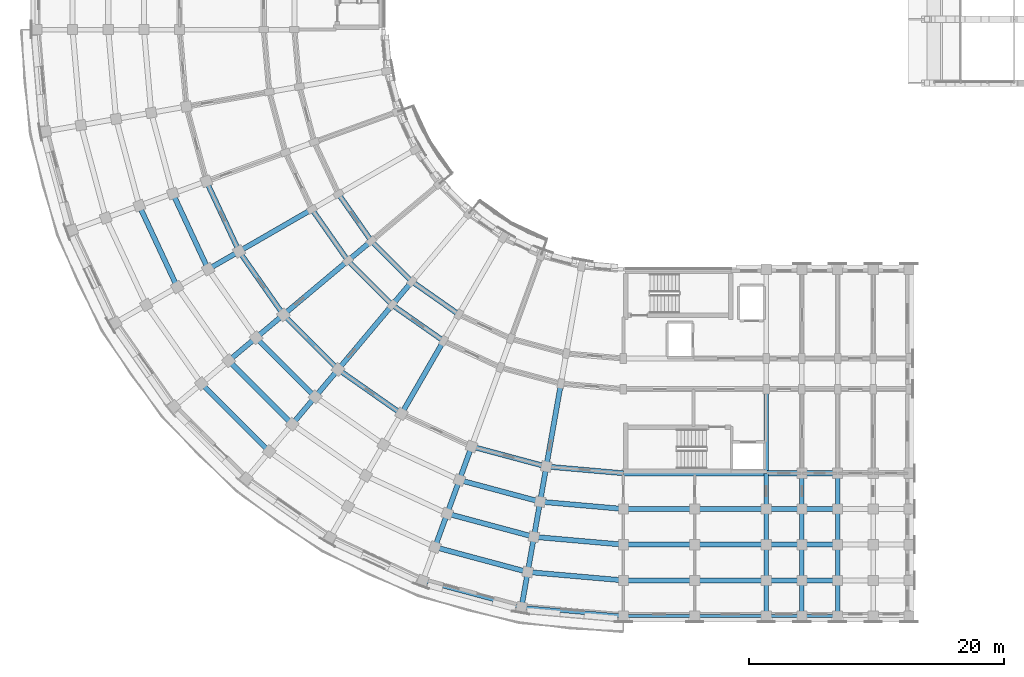
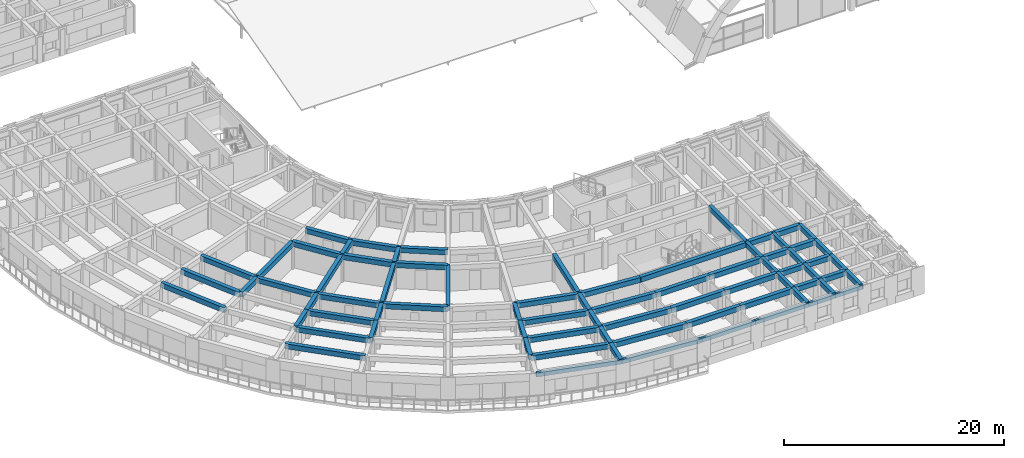
# One storey, part 10 of 76: 76 beams.
"""IFC4 building model written with IfcOpenShell, lengths in metres."""

from ifc_helpers import new_model, si_unit, direction, frame, origin, origin_2d, place, context, subcontext, project, spatial, rectangle, extrude, material, material_profile, profile_set, type_object, element, save


model = new_model("IFC4")

# Units and contexts
model_context = context("Model", 3, precision=1e-05, world=origin(), true_north=direction((0.0, 1.0)))
body_context = subcontext(model_context, "Body", "Model", "MODEL_VIEW")
ifc_project = project(units=[si_unit("LENGTHUNIT", "METRE"), si_unit("AREAUNIT", "SQUARE_METRE"), si_unit("VOLUMEUNIT", "CUBIC_METRE"), si_unit("PLANEANGLEUNIT", "RADIAN"), si_unit("MASSUNIT", "GRAM", prefix="KILO")], contexts=[model_context])

# Site, building, storey
site_placement = place(None, origin())
site = spatial("IfcSite", under=ifc_project, at=site_placement, CompositionType="ELEMENT")
building_placement = place(site_placement, origin())
building = spatial("IfcBuilding", under=site, at=building_placement, Name="Kiranvali Square Residences", CompositionType="ELEMENT")
storey_placement = place(building_placement, frame((0.0, 0.0, 8.699951171875)))
storey = spatial("IfcBuildingStorey", under=building, at=storey_placement, Name="L02", CompositionType="ELEMENT", Elevation=8.699951171875)

# Beams
ifc_material_1 = material(Name="Concrete M40 (40 MPa)", Category="concrete")
ifc_material_profile_1 = material_profile(ifc_material_1, rectangle(XDim=0.35009765625, YDim=0.550048828125, at=origin_2d()), Name="RC 350x550")
ifc_profile_set_1 = profile_set([ifc_material_profile_1], Name="Concrete M40 (40 MPa)")
beam_type_1 = type_object("IfcBeamType", Name="BM-M40-350x550", PredefinedType="BEAM", material=ifc_profile_set_1)
beam_1_placement = place(storey_placement, frame((59.39990234375, 20.0, 2.655029296875), z_axis=(0.0, -1.0, 0.0), x_axis=(1.0, 0.0, 0.0)))
element("IfcBeam", 1, at=beam_1_placement, inside=storey, type_object=beam_type_1, Name="L02 beam BM-C-L02-A1T1-23", PredefinedType="BEAM", context=body_context, shape_type="SweptSolid", body=[
    extrude(rectangle(XDim=0.35009765625, YDim=0.550048828125, at=origin_2d()), origin(), (0.0, 0.0, 1.0), 6.60009765625),
])
beam_2_placement = place(storey_placement, frame((59.39990234375, 13.39990234375, 2.655029296875), z_axis=(0.0, -1.0, 0.0), x_axis=(1.0, 0.0, 0.0)))
element("IfcBeam", 2, at=beam_2_placement, inside=storey, type_object=beam_type_1, Name="L02 beam BM-C-L02-A1T1-34", PredefinedType="BEAM", context=body_context, shape_type="SweptSolid", body=[
    extrude(rectangle(XDim=0.35009765625, YDim=0.550048828125, at=origin_2d()), origin(), (0.0, 0.0, 1.0), 2.7998046875),
])
for number, where, z_axis, x_axis, name in (
    (3, (59.39990234375, 10.60009765625, 2.655029296875), (0.0, -1.0, 0.0), (1.0, 0.0, 0.0), "L02 beam BM-C-L02-A1T1-45"),
    (4, (59.39990234375, 7.800048828125, 2.655029296875), (0.0, -1.0, 0.0), (1.0, 0.0, 0.0), "L02 beam BM-C-L02-A1T1-56"),
    (5, (59.39990234375, 5.0, 2.655029296875), (0.0, -1.0, 0.0), (1.0, 0.0, 0.0), "L02 beam BM-C-L02-A1T1-67"),
):
    element("IfcBeam", number, at=place(storey_placement, frame(where, z_axis=z_axis, x_axis=x_axis)), inside=storey, type_object=beam_type_1, Name=name, PredefinedType="BEAM", context=body_context, shape_type="SweptSolid", body=[
        extrude(rectangle(XDim=0.35009765625, YDim=0.550048828125, at=origin_2d()), origin(), (0.0, 0.0, 1.0), 2.800048828125),
    ])
beam_3_placement = place(storey_placement, frame((62.199951171875, 13.39990234375, 2.655029296875), z_axis=(0.0, -1.0, 0.0), x_axis=(1.0, 0.0, 0.0)))
element("IfcBeam", 6, at=beam_3_placement, inside=storey, type_object=beam_type_1, Name="L02 beam BM-C-L02-A1T2-34", PredefinedType="BEAM", context=body_context, shape_type="SweptSolid", body=[
    extrude(rectangle(XDim=0.35009765625, YDim=0.550048828125, at=origin_2d()), origin(), (0.0, 0.0, 1.0), 2.7998046875),
])
for number, where, z_axis, x_axis, name in (
    (7, (62.199951171875, 10.60009765625, 2.655029296875), (0.0, -1.0, 0.0), (1.0, 0.0, 0.0), "L02 beam BM-C-L02-A1T2-45"),
    (8, (62.199951171875, 7.800048828125, 2.655029296875), (0.0, -1.0, 0.0), (1.0, 0.0, 0.0), "L02 beam BM-C-L02-A1T2-56"),
    (9, (62.199951171875, 5.0, 2.655029296875), (0.0, -1.0, 0.0), (1.0, 0.0, 0.0), "L02 beam BM-C-L02-A1T2-67"),
):
    element("IfcBeam", number, at=place(storey_placement, frame(where, z_axis=z_axis, x_axis=x_axis)), inside=storey, type_object=beam_type_1, Name=name, PredefinedType="BEAM", context=body_context, shape_type="SweptSolid", body=[
        extrude(rectangle(XDim=0.35009765625, YDim=0.550048828125, at=origin_2d()), origin(), (0.0, 0.0, 1.0), 2.800048828125),
    ])
beam_4_placement = place(storey_placement, frame((65.0, 13.39990234375, 2.655029296875), z_axis=(0.0, -1.0, 0.0), x_axis=(1.0, 0.0, 0.0)))
element("IfcBeam", 10, at=beam_4_placement, inside=storey, type_object=beam_type_1, Name="L02 beam BM-C-L02-A1T3-34", PredefinedType="BEAM", context=body_context, shape_type="SweptSolid", body=[
    extrude(rectangle(XDim=0.35009765625, YDim=0.550048828125, at=origin_2d()), origin(), (0.0, 0.0, 1.0), 2.7998046875),
])
for number, where, z_axis, x_axis, name in (
    (11, (65.0, 10.60009765625, 2.655029296875), (0.0, -1.0, 0.0), (1.0, 0.0, 0.0), "L02 beam BM-C-L02-A1T3-45"),
    (12, (65.0, 7.800048828125, 2.655029296875), (0.0, -1.0, 0.0), (1.0, 0.0, 0.0), "L02 beam BM-C-L02-A1T3-56"),
    (13, (65.0, 5.0, 2.655029296875), (0.0, -1.0, 0.0), (1.0, 0.0, 0.0), "L02 beam BM-C-L02-A1T3-67"),
):
    element("IfcBeam", number, at=place(storey_placement, frame(where, z_axis=z_axis, x_axis=x_axis)), inside=storey, type_object=beam_type_1, Name=name, PredefinedType="BEAM", context=body_context, shape_type="SweptSolid", body=[
        extrude(rectangle(XDim=0.35009765625, YDim=0.550048828125, at=origin_2d()), origin(), (0.0, 0.0, 1.0), 2.800048828125),
    ])
ifc_material_2 = material(Name="Concrete M45 (45 MPa)", Category="concrete")
ifc_material_profile_2 = material_profile(ifc_material_2, rectangle(XDim=0.39990234375, YDim=0.550048828125, at=origin_2d()), Name="RC 400x550")
ifc_profile_set_2 = profile_set([ifc_material_profile_2], Name="Concrete M45 (45 MPa)")
beam_type_2 = type_object("IfcBeamType", Name="BM-M45-400x550", PredefinedType="BEAM", material=ifc_profile_set_2)
beam_5_placement = place(storey_placement, frame((48.199951171875, 13.39990234375, 2.655029296875), z_axis=(-0.996193018494, 0.087174938512, 0.0), x_axis=(-0.087174938512, -0.996193018494, 0.0)))
element("IfcBeam", 14, at=beam_5_placement, inside=storey, type_object=beam_type_2, Name="L02 beam BM-C-L02-C00-R3", PredefinedType="BEAM", context=body_context, shape_type="SweptSolid", body=[
    extrude(rectangle(XDim=0.39990234375, YDim=0.550048828125, at=origin_2d()), origin(), (0.0, 0.0, 1.0), 6.066162109375),
])
beam_6_placement = place(storey_placement, frame((48.199951171875, 10.60009765625, 2.655029296875), z_axis=(-0.996196991902, 0.0871295204, 0.0), x_axis=(-0.0871295204, -0.996196991902, 0.0)))
element("IfcBeam", 15, at=beam_6_placement, inside=storey, type_object=beam_type_2, Name="L02 beam BM-C-L02-C00-R4", PredefinedType="BEAM", context=body_context, shape_type="SweptSolid", body=[
    extrude(rectangle(XDim=0.39990234375, YDim=0.550048828125, at=origin_2d()), origin(), (0.0, 0.0, 1.0), 6.553955078125),
])
beam_7_placement = place(storey_placement, frame((48.199951171875, 7.800048828125, 2.655029296875), z_axis=(-0.996194658198, 0.087156198737, 0.0), x_axis=(-0.087156198737, -0.996194658198, 0.0)))
element("IfcBeam", 16, at=beam_7_placement, inside=storey, type_object=beam_type_2, Name="L02 beam BM-C-L02-C00-R5", PredefinedType="BEAM", context=body_context, shape_type="SweptSolid", body=[
    extrude(rectangle(XDim=0.39990234375, YDim=0.550048828125, at=origin_2d()), origin(), (0.0, 0.0, 1.0), 7.042236328125),
])
beam_8_placement = place(storey_placement, frame((48.199951171875, 5.0, 2.655029296875), z_axis=(-0.996195195417, 0.087150058103, 0.0), x_axis=(-0.087150058103, -0.996195195417, 0.0)))
element("IfcBeam", 17, at=beam_8_placement, inside=storey, type_object=beam_type_2, Name="L02 beam BM-C-L02-C00-R6", PredefinedType="BEAM", context=body_context, shape_type="SweptSolid", body=[
    extrude(rectangle(XDim=0.39990234375, YDim=0.550048828125, at=origin_2d()), origin(), (0.0, 0.0, 1.0), 7.530029296875),
])
beam_9_placement = place(storey_placement, frame((42.156982421875, 13.9287109375, 2.655029296875), z_axis=(-0.965923618901, 0.258827283048, 0.0), x_axis=(-0.258827283048, -0.965923618901, 0.0)))
element("IfcBeam", 18, at=beam_9_placement, inside=storey, type_object=beam_type_2, Name="L02 beam BM-C-L02-C01-R3", PredefinedType="BEAM", context=body_context, shape_type="SweptSolid", body=[
    extrude(rectangle(XDim=0.39990234375, YDim=0.550048828125, at=origin_2d()), origin(), (0.0, 0.0, 1.0), 6.066162109375),
])
beam_10_placement = place(storey_placement, frame((41.6708984375, 11.171142578125, 2.655029296875), z_axis=(-0.965918287583, 0.258847178297, 0.0), x_axis=(-0.258847178297, -0.965918287583, 0.0)))
element("IfcBeam", 19, at=beam_10_placement, inside=storey, type_object=beam_type_2, Name="L02 beam BM-C-L02-C01-R4", PredefinedType="BEAM", context=body_context, shape_type="SweptSolid", body=[
    extrude(rectangle(XDim=0.39990234375, YDim=0.550048828125, at=origin_2d()), origin(), (0.0, 0.0, 1.0), 6.55419921875),
])
beam_11_placement = place(storey_placement, frame((41.1845703125, 8.413818359375, 2.655029296875), z_axis=(-0.965931029817, 0.258799624492, 0.0), x_axis=(-0.258799624492, -0.965931029817, 0.0)))
element("IfcBeam", 20, at=beam_11_placement, inside=storey, type_object=beam_type_2, Name="L02 beam BM-C-L02-C01-R5", PredefinedType="BEAM", context=body_context, shape_type="SweptSolid", body=[
    extrude(rectangle(XDim=0.39990234375, YDim=0.550048828125, at=origin_2d()), origin(), (0.0, 0.0, 1.0), 7.042236328125),
])
beam_12_placement = place(storey_placement, frame((40.698486328125, 5.65625, 2.655029296875), z_axis=(-0.965925909693, 0.258818733833, 0.0), x_axis=(-0.258818733833, -0.965925909693, 0.0)))
element("IfcBeam", 21, at=beam_12_placement, inside=storey, type_object=beam_type_2, Name="L02 beam BM-C-L02-C01-R6", PredefinedType="BEAM", context=body_context, shape_type="SweptSolid", body=[
    extrude(rectangle(XDim=0.39990234375, YDim=0.550048828125, at=origin_2d()), origin(), (0.0, 0.0, 1.0), 7.5302734375),
])
beam_13_placement = place(storey_placement, frame((35.300048828125, 25.8564453125, 2.655029296875), z_axis=(-0.819155404658, 0.573571637217, 0.0), x_axis=(-0.573571637217, -0.819155404658, 0.0)))
element("IfcBeam", 22, at=beam_13_placement, inside=storey, type_object=beam_type_2, Name="L02 beam BM-C-L02-C03-R1", PredefinedType="BEAM", context=body_context, shape_type="SweptSolid", body=[
    extrude(rectangle(XDim=0.39990234375, YDim=0.550048828125, at=origin_2d()), origin(), (0.0, 0.0, 1.0), 4.497314453125),
])
beam_14_placement = place(storey_placement, frame((34.10009765625, 23.778076171875, 2.655029296875), z_axis=(-0.819140911474, 0.573592335331, 0.0), x_axis=(-0.573592335331, -0.819140911474, 0.0)))
element("IfcBeam", 23, at=beam_14_placement, inside=storey, type_object=beam_type_2, Name="L02 beam BM-C-L02-C03-R2", PredefinedType="BEAM", context=body_context, shape_type="SweptSolid", body=[
    extrude(rectangle(XDim=0.39990234375, YDim=0.550048828125, at=origin_2d()), origin(), (0.0, 0.0, 1.0), 4.915771484375),
])
beam_15_placement = place(storey_placement, frame((30.800048828125, 18.062255859375, 2.655029296875), z_axis=(-0.81913926159, 0.573594691504, 0.0), x_axis=(-0.573594691504, -0.81913926159, 0.0)))
element("IfcBeam", 24, at=beam_15_placement, inside=storey, type_object=beam_type_2, Name="L02 beam BM-C-L02-C03-R3", PredefinedType="BEAM", context=body_context, shape_type="SweptSolid", body=[
    extrude(rectangle(XDim=0.39990234375, YDim=0.550048828125, at=origin_2d()), origin(), (0.0, 0.0, 1.0), 6.066162109375),
])
beam_16_placement = place(storey_placement, frame((31.615966796875, 28.43603515625, 2.655029296875), z_axis=(-0.707106781187, 0.707106781187, 0.0), x_axis=(-0.707106781187, -0.707106781187, 0.0)))
element("IfcBeam", 25, at=beam_16_placement, inside=storey, type_object=beam_type_2, Name="L02 beam BM-C-L02-C04-R1", PredefinedType="BEAM", context=body_context, shape_type="SweptSolid", body=[
    extrude(rectangle(XDim=0.39990234375, YDim=0.550048828125, at=origin_2d()), origin(), (0.0, 0.0, 1.0), 4.4970703125),
])
beam_17_placement = place(storey_placement, frame((30.073486328125, 26.59765625, 2.655029296875), z_axis=(-0.707106781187, 0.707106781187, 0.0), x_axis=(-0.707106781187, -0.707106781187, 0.0)))
element("IfcBeam", 26, at=beam_17_placement, inside=storey, type_object=beam_type_2, Name="L02 beam BM-C-L02-C04-R2", PredefinedType="BEAM", context=body_context, shape_type="SweptSolid", body=[
    extrude(rectangle(XDim=0.39990234375, YDim=0.550048828125, at=origin_2d()), origin(), (0.0, 0.0, 1.0), 4.91552734375),
])
beam_18_placement = place(storey_placement, frame((25.8310546875, 21.541748046875, 2.655029296875), z_axis=(-0.707106781187, 0.707106781187, 0.0), x_axis=(-0.707106781187, -0.707106781187, 0.0)))
element("IfcBeam", 27, at=beam_18_placement, inside=storey, type_object=beam_type_2, Name="L02 beam BM-C-L02-C04-R3", PredefinedType="BEAM", context=body_context, shape_type="SweptSolid", body=[
    extrude(rectangle(XDim=0.39990234375, YDim=0.550048828125, at=origin_2d()), origin(), (0.0, 0.0, 1.0), 6.06591796875),
])
beam_19_placement = place(storey_placement, frame((24.03125, 19.396728515625, 2.655029296875), z_axis=(-0.707106781187, 0.707106781187, 0.0), x_axis=(-0.707106781187, -0.707106781187, 0.0)))
element("IfcBeam", 28, at=beam_19_placement, inside=storey, type_object=beam_type_2, Name="L02 beam BM-C-L02-C04-R4", PredefinedType="BEAM", context=body_context, shape_type="SweptSolid", body=[
    extrude(rectangle(XDim=0.39990234375, YDim=0.550048828125, at=origin_2d()), origin(), (0.0, 0.0, 1.0), 6.55419921875),
])
beam_20_placement = place(storey_placement, frame((22.2314453125, 17.251708984375, 2.655029296875), z_axis=(-0.707106781187, 0.707106781187, 0.0), x_axis=(-0.707106781187, -0.707106781187, 0.0)))
element("IfcBeam", 29, at=beam_20_placement, inside=storey, type_object=beam_type_2, Name="L02 beam BM-C-L02-C04-R5", PredefinedType="BEAM", context=body_context, shape_type="SweptSolid", body=[
    extrude(rectangle(XDim=0.39990234375, YDim=0.550048828125, at=origin_2d()), origin(), (0.0, 0.0, 1.0), 7.04248046875),
])
beam_21_placement = place(storey_placement, frame((20.431640625, 15.10693359375, 2.655029296875), z_axis=(-0.707106781187, 0.707106781187, 0.0), x_axis=(-0.707106781187, -0.707106781187, 0.0)))
element("IfcBeam", 30, at=beam_21_placement, inside=storey, type_object=beam_type_2, Name="L02 beam BM-C-L02-C04-R6", PredefinedType="BEAM", context=body_context, shape_type="SweptSolid", body=[
    extrude(rectangle(XDim=0.39990234375, YDim=0.550048828125, at=origin_2d()), origin(), (0.0, 0.0, 1.0), 7.5302734375),
])
beam_22_placement = place(storey_placement, frame((28.43603515625, 31.615966796875, 2.655029296875), z_axis=(-0.573571637217, 0.819155404658, 0.0), x_axis=(-0.819155404658, -0.573571637217, 0.0)))
element("IfcBeam", 31, at=beam_22_placement, inside=storey, type_object=beam_type_2, Name="L02 beam BM-C-L02-C05-R1", PredefinedType="BEAM", context=body_context, shape_type="SweptSolid", body=[
    extrude(rectangle(XDim=0.39990234375, YDim=0.550048828125, at=origin_2d()), origin(), (0.0, 0.0, 1.0), 4.497314453125),
])
beam_23_placement = place(storey_placement, frame((26.59765625, 30.073486328125, 2.655029296875), z_axis=(-0.573592335331, 0.819140911474, 0.0), x_axis=(-0.819140911474, -0.573592335331, 0.0)))
element("IfcBeam", 32, at=beam_23_placement, inside=storey, type_object=beam_type_2, Name="L02 beam BM-C-L02-C05-R2", PredefinedType="BEAM", context=body_context, shape_type="SweptSolid", body=[
    extrude(rectangle(XDim=0.39990234375, YDim=0.550048828125, at=origin_2d()), origin(), (0.0, 0.0, 1.0), 4.915771484375),
])
beam_24_placement = place(storey_placement, frame((21.541748046875, 25.8310546875, 2.655029296875), z_axis=(-0.573594691504, 0.81913926159, 0.0), x_axis=(-0.81913926159, -0.573594691504, 0.0)))
element("IfcBeam", 33, at=beam_24_placement, inside=storey, type_object=beam_type_2, Name="L02 beam BM-C-L02-C05-R3", PredefinedType="BEAM", context=body_context, shape_type="SweptSolid", body=[
    extrude(rectangle(XDim=0.39990234375, YDim=0.550048828125, at=origin_2d()), origin(), (0.0, 0.0, 1.0), 6.066162109375),
])
beam_25_placement = place(storey_placement, frame((18.062255859375, 30.800048828125, 2.655029296875), z_axis=(-0.42260781991, 0.906312656069, 0.0), x_axis=(-0.906312656069, -0.42260781991, 0.0)))
element("IfcBeam", 34, at=beam_25_placement, inside=storey, type_object=beam_type_2, Name="L02 beam BM-C-L02-C06-R3", PredefinedType="BEAM", context=body_context, shape_type="SweptSolid", body=[
    extrude(rectangle(XDim=0.39990234375, YDim=0.550048828125, at=origin_2d()), origin(), (0.0, 0.0, 1.0), 6.06591796875),
])
beam_26_placement = place(storey_placement, frame((15.637451171875, 29.39990234375, 2.655029296875), z_axis=(-0.422595876255, 0.906318225223, 0.0), x_axis=(-0.906318225223, -0.422595876255, 0.0)))
element("IfcBeam", 35, at=beam_26_placement, inside=storey, type_object=beam_type_2, Name="L02 beam BM-C-L02-C06-R4", PredefinedType="BEAM", context=body_context, shape_type="SweptSolid", body=[
    extrude(rectangle(XDim=0.39990234375, YDim=0.550048828125, at=origin_2d()), origin(), (0.0, 0.0, 1.0), 6.55419921875),
])
beam_27_placement = place(storey_placement, frame((13.212646484375, 28.0, 2.655029296875), z_axis=(-0.422640621205, 0.906297360311, 0.0), x_axis=(-0.906297360311, -0.422640621205, 0.0)))
element("IfcBeam", 36, at=beam_27_placement, inside=storey, type_object=beam_type_2, Name="L02 beam BM-C-L02-C06-R5", PredefinedType="BEAM", context=body_context, shape_type="SweptSolid", body=[
    extrude(rectangle(XDim=0.39990234375, YDim=0.550048828125, at=origin_2d()), origin(), (0.0, 0.0, 1.0), 7.042236328125),
])
beam_28_placement = place(storey_placement, frame((43.30322265625, 20.428466796875, 2.655029296875), z_axis=(-0.173671381499, -0.984803661269, 0.0), x_axis=(0.984803661269, -0.173671381499, 0.0)))
element("IfcBeam", 37, at=beam_28_placement, inside=storey, type_object=beam_type_2, Name="L02 beam BM-C-L02-RAD01-23", PredefinedType="BEAM", context=body_context, shape_type="SweptSolid", body=[
    extrude(rectangle(XDim=0.39990234375, YDim=0.550048828125, at=origin_2d()), origin(), (0.0, 0.0, 1.0), 6.60009765625),
])
beam_29_placement = place(storey_placement, frame((42.156982421875, 13.9287109375, 2.655029296875), z_axis=(-0.173596320392, -0.984816895441, 0.0), x_axis=(0.984816895441, -0.173596320392, 0.0)))
element("IfcBeam", 38, at=beam_29_placement, inside=storey, type_object=beam_type_2, Name="L02 beam BM-C-L02-RAD01-34", PredefinedType="BEAM", context=body_context, shape_type="SweptSolid", body=[
    extrude(rectangle(XDim=0.39990234375, YDim=0.550048828125, at=origin_2d()), origin(), (0.0, 0.0, 1.0), 2.800048828125),
])
beam_30_placement = place(storey_placement, frame((41.6708984375, 11.171142578125, 2.655029296875), z_axis=(-0.173695795656, -0.984799355489, 0.0), x_axis=(0.984799355489, -0.173695795656, 0.0)))
element("IfcBeam", 39, at=beam_30_placement, inside=storey, type_object=beam_type_2, Name="L02 beam BM-C-L02-RAD01-45", PredefinedType="BEAM", context=body_context, shape_type="SweptSolid", body=[
    extrude(rectangle(XDim=0.39990234375, YDim=0.550048828125, at=origin_2d()), origin(), (0.0, 0.0, 1.0), 2.7998046875),
])
beam_31_placement = place(storey_placement, frame((41.1845703125, 8.413818359375, 2.655029296875), z_axis=(-0.173596320392, -0.984816895441, 0.0), x_axis=(0.984816895441, -0.173596320392, 0.0)))
element("IfcBeam", 40, at=beam_31_placement, inside=storey, type_object=beam_type_2, Name="L02 beam BM-C-L02-RAD01-56", PredefinedType="BEAM", context=body_context, shape_type="SweptSolid", body=[
    extrude(rectangle(XDim=0.39990234375, YDim=0.550048828125, at=origin_2d()), origin(), (0.0, 0.0, 1.0), 2.800048828125),
])
for number, where, z_axis, x_axis, name in (
    (41, (40.698486328125, 5.65625, 2.655029296875), (-0.173695795656, -0.984799355489, 0.0), (0.984799355489, -0.173695795656, 0.0), "L02 beam BM-C-L02-RAD01-67"),
    (42, (36.297607421875, 15.498779296875, 2.655029296875), (-0.341981089711, -0.93970683422, 0.0), (0.93970683422, -0.341981089711, 0.0), "L02 beam BM-C-L02-RAD02-34"),
):
    element("IfcBeam", number, at=place(storey_placement, frame(where, z_axis=z_axis, x_axis=x_axis)), inside=storey, type_object=beam_type_2, Name=name, PredefinedType="BEAM", context=body_context, shape_type="SweptSolid", body=[
        extrude(rectangle(XDim=0.39990234375, YDim=0.550048828125, at=origin_2d()), origin(), (0.0, 0.0, 1.0), 2.7998046875),
    ])
beam_32_placement = place(storey_placement, frame((35.340087890625, 12.86767578125, 2.655029296875), z_axis=(-0.342030060398, -0.939689011208, 0.0), x_axis=(0.939689011208, -0.342030060398, 0.0)))
element("IfcBeam", 43, at=beam_32_placement, inside=storey, type_object=beam_type_2, Name="L02 beam BM-C-L02-RAD02-45", PredefinedType="BEAM", context=body_context, shape_type="SweptSolid", body=[
    extrude(rectangle(XDim=0.39990234375, YDim=0.550048828125, at=origin_2d()), origin(), (0.0, 0.0, 1.0), 2.80029296875),
])
beam_33_placement = place(storey_placement, frame((34.38232421875, 10.236328125, 2.655029296875), z_axis=(-0.341981089711, -0.93970683422, 0.0), x_axis=(0.93970683422, -0.341981089711, 0.0)))
element("IfcBeam", 44, at=beam_33_placement, inside=storey, type_object=beam_type_2, Name="L02 beam BM-C-L02-RAD02-56", PredefinedType="BEAM", context=body_context, shape_type="SweptSolid", body=[
    extrude(rectangle(XDim=0.39990234375, YDim=0.550048828125, at=origin_2d()), origin(), (0.0, 0.0, 1.0), 2.7998046875),
])
beam_34_placement = place(storey_placement, frame((34.10009765625, 23.778076171875, 2.655029296875), z_axis=(-0.500002094529, -0.866024194504, 0.0), x_axis=(0.866024194504, -0.500002094529, 0.0)))
element("IfcBeam", 45, at=beam_34_placement, inside=storey, type_object=beam_type_2, Name="L02 beam BM-C-L02-RAD03-23", PredefinedType="BEAM", context=body_context, shape_type="SweptSolid", body=[
    extrude(rectangle(XDim=0.39990234375, YDim=0.550048828125, at=origin_2d()), origin(), (0.0, 0.0, 1.0), 6.60009765625),
])
beam_35_placement = place(storey_placement, frame((31.615966796875, 28.43603515625, 2.655029296875), z_axis=(-0.642762521781, -0.766065493671, 0.0), x_axis=(0.766065493671, -0.642762521781, 0.0)))
element("IfcBeam", 46, at=beam_35_placement, inside=storey, type_object=beam_type_2, Name="L02 beam BM-C-L02-RAD04-12", PredefinedType="BEAM", context=body_context, shape_type="SweptSolid", body=[
    extrude(rectangle(XDim=0.39990234375, YDim=0.550048828125, at=origin_2d()), origin(), (0.0, 0.0, 1.0), 2.399658203125),
])
beam_36_placement = place(storey_placement, frame((30.073486328125, 26.59765625, 2.655029296875), z_axis=(-0.642789470807, -0.766042881449, 0.0), x_axis=(0.766042881449, -0.642789470807, 0.0)))
element("IfcBeam", 47, at=beam_36_placement, inside=storey, type_object=beam_type_2, Name="L02 beam BM-C-L02-RAD04-23", PredefinedType="BEAM", context=body_context, shape_type="SweptSolid", body=[
    extrude(rectangle(XDim=0.39990234375, YDim=0.550048828125, at=origin_2d()), origin(), (0.0, 0.0, 1.0), 6.60009765625),
])
for number, where, z_axis, x_axis, name in (
    (48, (25.8310546875, 21.541748046875, 2.655029296875), (-0.642770757628, -0.766058583359, 0.0), (0.766058583359, -0.642770757628, 0.0), "L02 beam BM-C-L02-RAD04-34"),
    (49, (24.03125, 19.396728515625, 2.655029296875), (-0.642770757628, -0.766058583359, 0.0), (0.766058583359, -0.642770757628, 0.0), "L02 beam BM-C-L02-RAD04-45"),
):
    element("IfcBeam", number, at=place(storey_placement, frame(where, z_axis=z_axis, x_axis=x_axis)), inside=storey, type_object=beam_type_2, Name=name, PredefinedType="BEAM", context=body_context, shape_type="SweptSolid", body=[
        extrude(rectangle(XDim=0.39990234375, YDim=0.550048828125, at=origin_2d()), origin(), (0.0, 0.0, 1.0), 2.800048828125),
    ])
beam_37_placement = place(storey_placement, frame((28.43603515625, 31.615966796875, 2.655029296875), z_axis=(-0.766065493671, -0.642762521781, 0.0), x_axis=(0.642762521781, -0.766065493671, 0.0)))
element("IfcBeam", 50, at=beam_37_placement, inside=storey, type_object=beam_type_2, Name="L02 beam BM-C-L02-RAD05-12", PredefinedType="BEAM", context=body_context, shape_type="SweptSolid", body=[
    extrude(rectangle(XDim=0.39990234375, YDim=0.550048828125, at=origin_2d()), origin(), (0.0, 0.0, 1.0), 2.399658203125),
])
beam_38_placement = place(storey_placement, frame((26.59765625, 30.073486328125, 2.655029296875), z_axis=(-0.766042881449, -0.642789470807, 0.0), x_axis=(0.642789470807, -0.766042881449, 0.0)))
element("IfcBeam", 51, at=beam_38_placement, inside=storey, type_object=beam_type_2, Name="L02 beam BM-C-L02-RAD05-23", PredefinedType="BEAM", context=body_context, shape_type="SweptSolid", body=[
    extrude(rectangle(XDim=0.39990234375, YDim=0.550048828125, at=origin_2d()), origin(), (0.0, 0.0, 1.0), 6.60009765625),
])
for number, where, z_axis, x_axis, name in (
    (52, (21.541748046875, 25.8310546875, 2.655029296875), (-0.766058583359, -0.642770757628, 0.0), (0.642770757628, -0.766058583359, 0.0), "L02 beam BM-C-L02-RAD05-34"),
    (53, (19.396728515625, 24.03125, 2.655029296875), (-0.766058583359, -0.642770757628, 0.0), (0.642770757628, -0.766058583359, 0.0), "L02 beam BM-C-L02-RAD05-45"),
):
    element("IfcBeam", number, at=place(storey_placement, frame(where, z_axis=z_axis, x_axis=x_axis)), inside=storey, type_object=beam_type_2, Name=name, PredefinedType="BEAM", context=body_context, shape_type="SweptSolid", body=[
        extrude(rectangle(XDim=0.39990234375, YDim=0.550048828125, at=origin_2d()), origin(), (0.0, 0.0, 1.0), 2.800048828125),
    ])
beam_39_placement = place(storey_placement, frame((23.778076171875, 34.10009765625, 2.655029296875), z_axis=(-0.866024194504, -0.500002094529, 0.0), x_axis=(0.500002094529, -0.866024194504, 0.0)))
element("IfcBeam", 54, at=beam_39_placement, inside=storey, type_object=beam_type_2, Name="L02 beam BM-C-L02-RAD06-23", PredefinedType="BEAM", context=body_context, shape_type="SweptSolid", body=[
    extrude(rectangle(XDim=0.39990234375, YDim=0.550048828125, at=origin_2d()), origin(), (0.0, 0.0, 1.0), 6.60009765625),
])
beam_40_placement = place(storey_placement, frame((18.062255859375, 30.800048828125, 2.655029296875), z_axis=(-0.865996816683, -0.500049511043, 0.0), x_axis=(0.500049511043, -0.865996816683, 0.0)))
element("IfcBeam", 55, at=beam_40_placement, inside=storey, type_object=beam_type_2, Name="L02 beam BM-C-L02-RAD06-34", PredefinedType="BEAM", context=body_context, shape_type="SweptSolid", body=[
    extrude(rectangle(XDim=0.39990234375, YDim=0.550048828125, at=origin_2d()), origin(), (0.0, 0.0, 1.0), 2.800048828125),
])
beam_41_placement = place(storey_placement, frame((48.199951171875, 13.39990234375, 2.655029296875), z_axis=(1.0, 0.0, 0.0), x_axis=(0.0, 1.0, 0.0)))
element("IfcBeam", 56, at=beam_41_placement, inside=storey, type_object=beam_type_2, Name="L02 beam BM-C-L02-A1U0-R3", PredefinedType="BEAM", context=body_context, shape_type="SweptSolid", body=[
    extrude(rectangle(XDim=0.39990234375, YDim=0.550048828125, at=origin_2d()), origin(), (0.0, 0.0, 1.0), 11.199951171875),
])
for number, where, z_axis, x_axis, name in (
    (57, (59.39990234375, 13.39990234375, 2.655029296875), (1.0, 0.0, 0.0), (0.0, 1.0, 0.0), "L02 beam BM-C-L02-A1U1-R3"),
    (58, (62.199951171875, 13.39990234375, 2.655029296875), (1.0, 0.0, 0.0), (0.0, 1.0, 0.0), "L02 beam BM-C-L02-A1U2-R3"),
):
    element("IfcBeam", number, at=place(storey_placement, frame(where, z_axis=z_axis, x_axis=x_axis)), inside=storey, type_object=beam_type_2, Name=name, PredefinedType="BEAM", context=body_context, shape_type="SweptSolid", body=[
        extrude(rectangle(XDim=0.39990234375, YDim=0.550048828125, at=origin_2d()), origin(), (0.0, 0.0, 1.0), 2.800048828125),
    ])
beam_42_placement = place(storey_placement, frame((48.199951171875, 10.60009765625, 2.655029296875), z_axis=(1.0, 0.0, 0.0), x_axis=(0.0, 1.0, 0.0)))
element("IfcBeam", 59, at=beam_42_placement, inside=storey, type_object=beam_type_2, Name="L02 beam BM-C-L02-A1U0-R4", PredefinedType="BEAM", context=body_context, shape_type="SweptSolid", body=[
    extrude(rectangle(XDim=0.39990234375, YDim=0.550048828125, at=origin_2d()), origin(), (0.0, 0.0, 1.0), 5.60009765625),
])
beam_43_placement = place(storey_placement, frame((53.800048828125, 10.60009765625, 2.655029296875), z_axis=(1.0, 0.0, 0.0), x_axis=(0.0, 1.0, 0.0)))
element("IfcBeam", 60, at=beam_43_placement, inside=storey, type_object=beam_type_2, Name="L02 beam BM-C-L02-A1U1-R4", PredefinedType="BEAM", context=body_context, shape_type="SweptSolid", body=[
    extrude(rectangle(XDim=0.39990234375, YDim=0.550048828125, at=origin_2d()), origin(), (0.0, 0.0, 1.0), 5.599853515625),
])
for number, where, z_axis, x_axis, name in (
    (61, (59.39990234375, 10.60009765625, 2.655029296875), (1.0, 0.0, 0.0), (0.0, 1.0, 0.0), "L02 beam BM-C-L02-A1U2-R4"),
    (62, (62.199951171875, 10.60009765625, 2.655029296875), (1.0, 0.0, 0.0), (0.0, 1.0, 0.0), "L02 beam BM-C-L02-A1U3-R4"),
):
    element("IfcBeam", number, at=place(storey_placement, frame(where, z_axis=z_axis, x_axis=x_axis)), inside=storey, type_object=beam_type_2, Name=name, PredefinedType="BEAM", context=body_context, shape_type="SweptSolid", body=[
        extrude(rectangle(XDim=0.39990234375, YDim=0.550048828125, at=origin_2d()), origin(), (0.0, 0.0, 1.0), 2.800048828125),
    ])
beam_44_placement = place(storey_placement, frame((48.199951171875, 7.800048828125, 2.655029296875), z_axis=(1.0, 0.0, 0.0), x_axis=(0.0, 1.0, 0.0)))
element("IfcBeam", 63, at=beam_44_placement, inside=storey, type_object=beam_type_2, Name="L02 beam BM-C-L02-A1U0-R5", PredefinedType="BEAM", context=body_context, shape_type="SweptSolid", body=[
    extrude(rectangle(XDim=0.39990234375, YDim=0.550048828125, at=origin_2d()), origin(), (0.0, 0.0, 1.0), 5.60009765625),
])
beam_45_placement = place(storey_placement, frame((53.800048828125, 7.800048828125, 2.655029296875), z_axis=(1.0, 0.0, 0.0), x_axis=(0.0, 1.0, 0.0)))
element("IfcBeam", 64, at=beam_45_placement, inside=storey, type_object=beam_type_2, Name="L02 beam BM-C-L02-A1U1-R5", PredefinedType="BEAM", context=body_context, shape_type="SweptSolid", body=[
    extrude(rectangle(XDim=0.39990234375, YDim=0.550048828125, at=origin_2d()), origin(), (0.0, 0.0, 1.0), 5.599853515625),
])
for number, where, z_axis, x_axis, name in (
    (65, (59.39990234375, 7.800048828125, 2.655029296875), (1.0, 0.0, 0.0), (0.0, 1.0, 0.0), "L02 beam BM-C-L02-A1U2-R5"),
    (66, (62.199951171875, 7.800048828125, 2.655029296875), (1.0, 0.0, 0.0), (0.0, 1.0, 0.0), "L02 beam BM-C-L02-A1U3-R5"),
):
    element("IfcBeam", number, at=place(storey_placement, frame(where, z_axis=z_axis, x_axis=x_axis)), inside=storey, type_object=beam_type_2, Name=name, PredefinedType="BEAM", context=body_context, shape_type="SweptSolid", body=[
        extrude(rectangle(XDim=0.39990234375, YDim=0.550048828125, at=origin_2d()), origin(), (0.0, 0.0, 1.0), 2.800048828125),
    ])
beam_46_placement = place(storey_placement, frame((48.199951171875, 5.0, 2.655029296875), z_axis=(1.0, 0.0, 0.0), x_axis=(0.0, 1.0, 0.0)))
element("IfcBeam", 67, at=beam_46_placement, inside=storey, type_object=beam_type_2, Name="L02 beam BM-C-L02-A1U0-R6", PredefinedType="BEAM", context=body_context, shape_type="SweptSolid", body=[
    extrude(rectangle(XDim=0.39990234375, YDim=0.550048828125, at=origin_2d()), origin(), (0.0, 0.0, 1.0), 5.60009765625),
])
beam_47_placement = place(storey_placement, frame((53.800048828125, 5.0, 2.655029296875), z_axis=(1.0, 0.0, 0.0), x_axis=(0.0, 1.0, 0.0)))
element("IfcBeam", 68, at=beam_47_placement, inside=storey, type_object=beam_type_2, Name="L02 beam BM-C-L02-A1U1-R6", PredefinedType="BEAM", context=body_context, shape_type="SweptSolid", body=[
    extrude(rectangle(XDim=0.39990234375, YDim=0.550048828125, at=origin_2d()), origin(), (0.0, 0.0, 1.0), 5.599853515625),
])
for number, where, z_axis, x_axis, name in (
    (69, (59.39990234375, 5.0, 2.655029296875), (1.0, 0.0, 0.0), (0.0, 1.0, 0.0), "L02 beam BM-C-L02-A1U2-R6"),
    (70, (62.199951171875, 5.0, 2.655029296875), (1.0, 0.0, 0.0), (0.0, 1.0, 0.0), "L02 beam BM-C-L02-A1U3-R6"),
):
    element("IfcBeam", number, at=place(storey_placement, frame(where, z_axis=z_axis, x_axis=x_axis)), inside=storey, type_object=beam_type_2, Name=name, PredefinedType="BEAM", context=body_context, shape_type="SweptSolid", body=[
        extrude(rectangle(XDim=0.39990234375, YDim=0.550048828125, at=origin_2d()), origin(), (0.0, 0.0, 1.0), 2.800048828125),
    ])
ifc_material_profile_3 = material_profile(ifc_material_1, rectangle(XDim=0.25, YDim=0.449951171875, at=origin_2d()), Name="RC 250x450")
ifc_profile_set_3 = profile_set([ifc_material_profile_3], Name="Concrete M40 (40 MPa)")
beam_type_3 = type_object("IfcBeamType", Name="SPN-M40-250x450", PredefinedType="SPANDREL", material=ifc_profile_set_3)
beam_48_placement = place(storey_placement, frame((48.199951171875, 2.199951171875, 2.705078125), z_axis=(1.0, 0.0, 0.0), x_axis=(0.0, 1.0, 0.0)))
element("IfcBeam", 71, at=beam_48_placement, inside=storey, type_object=beam_type_3, Name="L02 beam BM-C-L02-A1U0-R7", PredefinedType="SPANDREL", context=body_context, shape_type="SweptSolid", body=[
    extrude(rectangle(XDim=0.25, YDim=0.449951171875, at=origin_2d()), origin(), (0.0, 0.0, 1.0), 5.60009765625),
])
beam_49_placement = place(storey_placement, frame((53.800048828125, 2.199951171875, 2.705078125), z_axis=(1.0, 0.0, 0.0), x_axis=(0.0, 1.0, 0.0)))
element("IfcBeam", 72, at=beam_49_placement, inside=storey, type_object=beam_type_3, Name="L02 beam BM-C-L02-A1U1-R7", PredefinedType="SPANDREL", context=body_context, shape_type="SweptSolid", body=[
    extrude(rectangle(XDim=0.25, YDim=0.449951171875, at=origin_2d()), origin(), (0.0, 0.0, 1.0), 5.599853515625),
])
for number, where, z_axis, x_axis, name in (
    (73, (59.39990234375, 2.199951171875, 2.705078125), (1.0, 0.0, 0.0), (0.0, 1.0, 0.0), "L02 beam BM-C-L02-A1U2-R7"),
    (74, (62.199951171875, 2.199951171875, 2.705078125), (1.0, 0.0, 0.0), (0.0, 1.0, 0.0), "L02 beam BM-C-L02-A1U3-R7"),
):
    element("IfcBeam", number, at=place(storey_placement, frame(where, z_axis=z_axis, x_axis=x_axis)), inside=storey, type_object=beam_type_3, Name=name, PredefinedType="SPANDREL", context=body_context, shape_type="SweptSolid", body=[
        extrude(rectangle(XDim=0.25, YDim=0.449951171875, at=origin_2d()), origin(), (0.0, 0.0, 1.0), 2.800048828125),
    ])
ifc_material_profile_4 = material_profile(ifc_material_1, rectangle(XDim=0.300048828125, YDim=0.449951171875, at=origin_2d()), Name="RC 300x450")
ifc_profile_set_4 = profile_set([ifc_material_profile_4], Name="Concrete M40 (40 MPa)")
beam_type_4 = type_object("IfcBeamType", Name="SPN-M40-300x450", PredefinedType="SPANDREL", material=ifc_profile_set_4)
for number, where, z_axis, x_axis, name in (
    (75, (48.199951171875, 2.199951171875, 2.705078125), (-0.996193254792, 0.087172238171, 0.0), (-0.087172238171, -0.996193254792, 0.0), "L02 beam BM-C-L02-C00-R7"),
    (76, (40.212158203125, 2.89892578125, 2.705078125), (-0.96592902462, 0.258807108475, 0.0), (-0.258807108475, -0.96592902462, 0.0), "L02 beam BM-C-L02-C01-R7"),
):
    element("IfcBeam", number, at=place(storey_placement, frame(where, z_axis=z_axis, x_axis=x_axis)), inside=storey, type_object=beam_type_4, Name=name, PredefinedType="SPANDREL", context=body_context, shape_type="SweptSolid", body=[
        extrude(rectangle(XDim=0.300048828125, YDim=0.449951171875, at=origin_2d()), origin(), (0.0, 0.0, 1.0), 8.018310546875),
    ])

save(model, "model.ifc")
